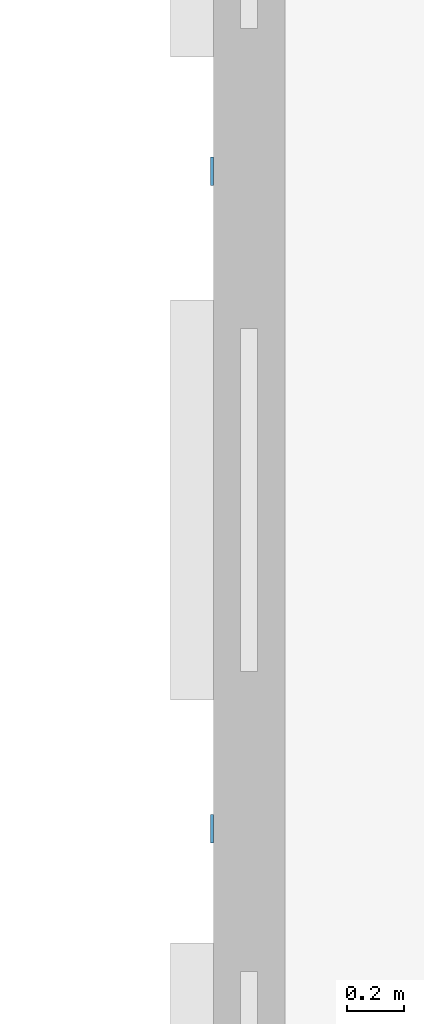
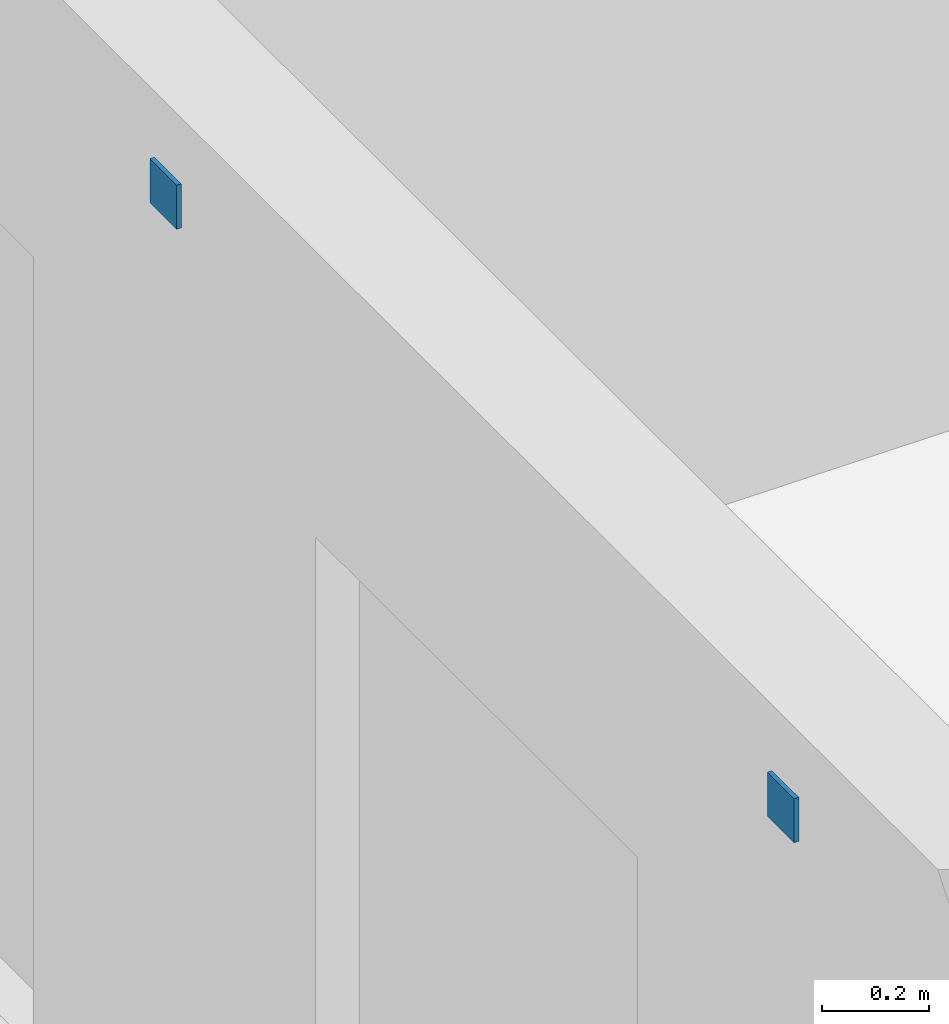
# One storey, part 40 of 47: 2 discrete accessories.
"""IFC4 building model written with IfcOpenShell, lengths in metres."""

import ifcopenshell
import ifcopenshell.guid

model = None  # the IFC model being written
_history = None  # IfcOwnerHistory: only IFC2X3 demands one
_inside = {}  # id of a spatial element -> (the spatial element, [elements in it])
_under = {}  # id of a project, library or spatial element -> (it, [spatial elements below it])
_declared = {}  # id of a project -> (the project, [libraries it declares])
_typed = {}  # id of a type object -> (the type object, [elements of that type])
_made_of = {}  # id of a material, layer set ... -> (it, [elements and type objects made of it])


def new_model(schema):
    """Start an empty IFC model of exactly this schema.

    Asked for "IFC4X3", IfcOpenShell would pick the latest addendum, in which some entities
    have other attributes; the version numbers below select the first issue.
    IFC2X3 requires an IfcOwnerHistory on every rooted entity: one is made here for all.
    """
    global model, _history
    if schema == "IFC4X3":
        model = ifcopenshell.file(schema_version=(4, 3, 0, 0))
    else:
        model = ifcopenshell.file(schema=schema)
    _inside.clear()
    _under.clear()
    _declared.clear()
    _typed.clear()
    _made_of.clear()
    _history = None
    if model.schema == "IFC2X3":
        org = make("IfcOrganization", Name="unknown")
        user = make(
            "IfcPersonAndOrganization",
            ThePerson=make("IfcPerson", FamilyName="unknown"),
            TheOrganization=org,
        )
        app = make(
            "IfcApplication",
            ApplicationDeveloper=org,
            Version="unknown",
            ApplicationFullName="unknown",
            ApplicationIdentifier="unknown",
        )
        _history = make(
            "IfcOwnerHistory",
            OwningUser=user,
            OwningApplication=app,
            ChangeAction="ADDED",
            CreationDate=0,
        )
    return model


def make(cls, **values):
    """One entity of the class cls with the attributes given. An attribute that is None is left unset."""
    return model.create_entity(
        cls, **{name: value for name, value in values.items() if value is not None}
    )


def rooted(cls, **values):
    """An entity with a GlobalId (a new one), such as an element, a storey or a relation."""
    return make(cls, GlobalId=ifcopenshell.guid.new(), OwnerHistory=_history, **values)


def si_unit(unit_type, name, prefix=None):
    """IfcSIUnit, for example si_unit("LENGTHUNIT", "METRE", prefix="MILLI")."""
    return make("IfcSIUnit", UnitType=unit_type, Prefix=prefix, Name=name)


def assignment(units):
    """IfcUnitAssignment: the units of a project."""
    return None if units is None else make("IfcUnitAssignment", Units=units)


def point(xyz):
    """IfcCartesianPoint."""
    return None if xyz is None else make("IfcCartesianPoint", Coordinates=xyz)


def direction(xyz):
    """IfcDirection."""
    return None if xyz is None else make("IfcDirection", DirectionRatios=xyz)


def frame(location, z_axis=None, x_axis=None):
    """IfcAxis2Placement3D, a coordinate frame: its origin and axes. An axis left out is left unset."""
    return make(
        "IfcAxis2Placement3D",
        Location=point(location),
        Axis=direction(z_axis),
        RefDirection=direction(x_axis),
    )


def frame_2d(location, x_axis=None):
    """IfcAxis2Placement2D, a coordinate frame in the plane: its origin and x axis."""
    return make(
        "IfcAxis2Placement2D", Location=point(location), RefDirection=direction(x_axis)
    )


def origin():
    """The frame at (0, 0, 0) with its axes left unset."""
    return frame((0.0, 0.0, 0.0))


def origin_2d():
    """The frame at (0, 0) in the plane with its x axis left unset."""
    return frame_2d((0.0, 0.0))


def place(relative_to, where):
    """IfcLocalPlacement: puts the frame where relative to a parent placement (None: the world)."""
    return make(
        "IfcLocalPlacement", PlacementRelTo=relative_to, RelativePlacement=where
    )


def context(
    kind, dimensions, precision=None, world=None, true_north=None, identifier=None
):
    """IfcGeometricRepresentationContext, for example the 3D "Model" context."""
    return make(
        "IfcGeometricRepresentationContext",
        ContextIdentifier=identifier,
        ContextType=kind,
        CoordinateSpaceDimension=dimensions,
        Precision=precision,
        WorldCoordinateSystem=world,
        TrueNorth=true_north,
    )


def subcontext(parent, identifier, kind, view, scale=None):
    """IfcGeometricRepresentationSubContext, for example "Body" below "Model"."""
    return make(
        "IfcGeometricRepresentationSubContext",
        ContextIdentifier=identifier,
        ContextType=kind,
        ParentContext=parent,
        TargetScale=scale,
        TargetView=view,
    )


def project(units=None, contexts=None):
    """IfcProject with its units and contexts."""
    return rooted(
        "IfcProject",
        Name="project",
        RepresentationContexts=contexts,
        UnitsInContext=assignment(units),
    )


def spatial(cls, under=None, at=None, **own):
    """A site, building, storey or space (cls), placed at a placement, below another one or the project."""
    s = rooted(cls, ObjectPlacement=at, **own)
    if under is not None:
        _under.setdefault(under.id(), (under, []))[1].append(s)
    return s


def profile(cls, at=None, kind="AREA", **sizes):
    """A parametric profile (cls). Its sizes go by their IFC names, for example OverallWidth=200.0."""
    return make(cls, ProfileType=kind, Position=at, **sizes)


def rectangle(**sizes):
    """IfcRectangleProfileDef."""
    return profile("IfcRectangleProfileDef", **sizes)


def extrude(swept, where, along, depth):
    """IfcExtrudedAreaSolid: the profile swept, set in the frame where, extruded along a direction by depth."""
    return make(
        "IfcExtrudedAreaSolid",
        SweptArea=swept,
        Position=where,
        ExtrudedDirection=direction(along),
        Depth=depth,
    )


def shape(context_of_items, identifier, shape_type, items):
    """IfcShapeRepresentation: the items that make up one representation, for example the "Body"."""
    return make(
        "IfcShapeRepresentation",
        ContextOfItems=context_of_items,
        RepresentationIdentifier=identifier,
        RepresentationType=shape_type,
        Items=items,
    )


def material(Name=None, Category=None):
    """IfcMaterial."""
    return make("IfcMaterial", Name=Name, Category=Category)


def made_of(thing, what):
    """Note that an element or type object is made of a material, layer set ...; save() writes the relation."""
    if what is not None:
        _made_of.setdefault(what.id(), (what, []))[1].append(thing)
    return thing


def type_object(cls, material=None, **own):
    """A type object (cls), such as IfcWallType, which elements share."""
    return made_of(rooted(cls, **own), material)


def element(
    cls,
    number,
    at=None,
    inside=None,
    cuts=None,
    type_object=None,
    material=None,
    context=None,
    identifier="Body",
    shape_type=None,
    held_by="IfcProductDefinitionShape",
    body=None,
    shapes=None,
    **own,
):
    """One element of the class cls, such as IfcWall. Its Tag is "e" and its number.

    at: its placement. inside: the storey or other place that contains it. cuts: it is an
    opening in that element (IfcRelVoidsElement). A single representation is given by context,
    identifier, shape_type and body (its items); several are given by shapes. held_by: the class
    of the entity that holds the representations. save() writes the other relations.
    """
    e = rooted(cls, Tag="e%d" % number, ObjectPlacement=at, **own)
    if body is not None:
        shapes = [shape(context, identifier, shape_type, body)]
    if shapes is not None:
        e.Representation = make(held_by, Representations=shapes)
    if inside is not None:
        _inside.setdefault(inside.id(), (inside, []))[1].append(e)
    if cuts is not None:
        rooted(
            "IfcRelVoidsElement", RelatingBuildingElement=cuts, RelatedOpeningElement=e
        )
    if type_object is not None:
        _typed.setdefault(type_object.id(), (type_object, []))[1].append(e)
    return made_of(e, material)


def aggregate(whole, parts):
    """IfcRelAggregates: a whole, such as a stair, and the parts it consists of."""
    return rooted("IfcRelAggregates", RelatingObject=whole, RelatedObjects=parts)


def save(model, path):
    """Write the relations noted so far, then the file.

    IfcRelAggregates (storeys below a building ...), IfcRelContainedInSpatialStructure (elements
    in a storey), IfcRelDefinesByType, IfcRelAssociatesMaterial and IfcRelDeclares: one each for
    every whole, place, type object, material and project.
    """
    for whole, parts in _under.values():
        aggregate(whole, parts)
    for where, things in _inside.values():
        rooted(
            "IfcRelContainedInSpatialStructure",
            RelatedElements=things,
            RelatingStructure=where,
        )
    for kind, things in _typed.values():
        rooted("IfcRelDefinesByType", RelatedObjects=things, RelatingType=kind)
    for what, things in _made_of.values():
        rooted("IfcRelAssociatesMaterial", RelatedObjects=things, RelatingMaterial=what)
    for by, libraries in _declared.values():
        rooted("IfcRelDeclares", RelatingContext=by, RelatedDefinitions=libraries)
    model.write(path)


model = new_model("IFC4")

# Units and contexts
model_context = context("Model", 3, precision=1e-05, world=origin(), true_north=direction((0.0, 1.0)))
body_context = subcontext(model_context, "Body", "Model", "MODEL_VIEW")
ifc_project = project(units=[si_unit("LENGTHUNIT", "METRE"), si_unit("AREAUNIT", "SQUARE_METRE"), si_unit("VOLUMEUNIT", "CUBIC_METRE"), si_unit("PLANEANGLEUNIT", "RADIAN"), si_unit("MASSUNIT", "GRAM", prefix="KILO")], contexts=[model_context])

# Site, building, storey
site_placement = place(None, origin())
site = spatial("IfcSite", under=ifc_project, at=site_placement, CompositionType="ELEMENT")
building_placement = place(site_placement, origin())
building = spatial("IfcBuilding", under=site, at=building_placement, Name="Laocheng Heights Fire and Rescue Headquarters", CompositionType="ELEMENT")
storey_placement = place(building_placement, frame((0.0, 0.0, 16.800048828125)))
storey = spatial("IfcBuildingStorey", under=building, at=storey_placement, Name="L04", CompositionType="ELEMENT", Elevation=16.800048828125)

# Discrete accessories
ifc_material = material(Name="Steel Q355B", Category="steel")
discrete_accessory_type = type_object("IfcDiscreteAccessoryType", Name="DRILL STEEL ANCHOR PLATE 100 x 100 x 10", PredefinedType="USERDEFINED", material=ifc_material)
for number, where, z_axis, x_axis, name in (
    (1, (113.8701171875, 30.39990234375, 3.699951171875), (0.0, 0.0, 1.0), (1.0, 0.0, 0.0), "Anchor plate F6"),
    (2, (113.8701171875, 32.699951171875, 3.699951171875), (0.0, 0.0, 1.0), (1.0, 0.0, 0.0), "Anchor plate F6"),
):
    element("IfcDiscreteAccessory", number, at=place(storey_placement, frame(where, z_axis=z_axis, x_axis=x_axis)), inside=storey, type_object=discrete_accessory_type, Name=name, ObjectType="ANCHOR PLATE", PredefinedType="USERDEFINED", context=body_context, shape_type="SweptSolid", body=[
        extrude(rectangle(XDim=0.010009765625, YDim=0.10009765625, at=origin_2d()), origin(), (0.0, 0.0, 1.0), 0.10009765625),
    ])

save(model, "model.ifc")
